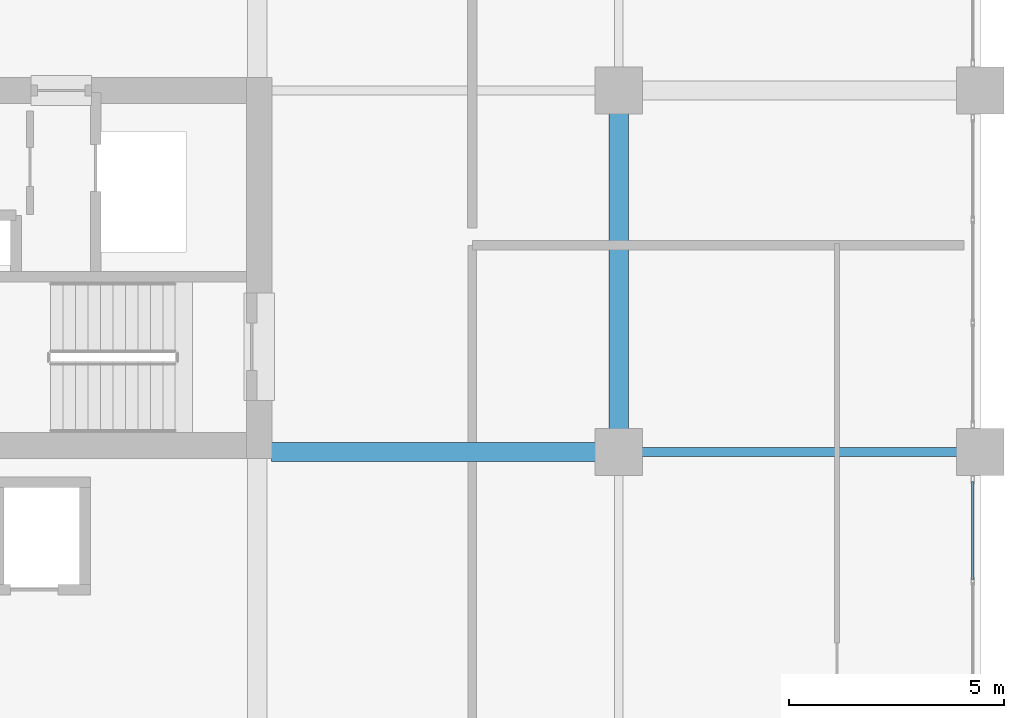
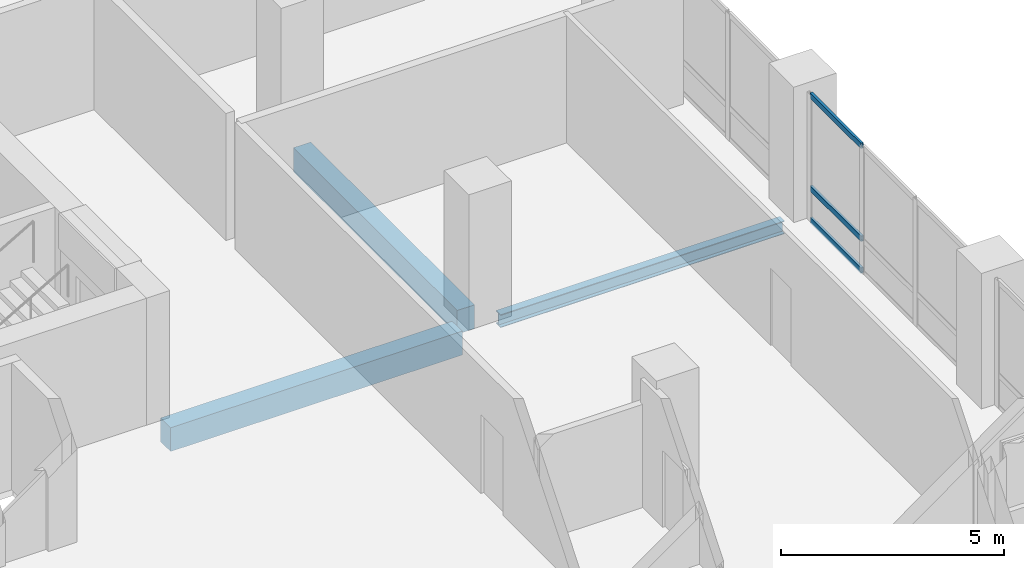
# One storey, part 5 of 21: 3 beams, 3 members, 1 element without a shape of its own.
"""IFC4 building model written with IfcOpenShell, lengths in metres."""

from ifc_helpers import new_model, si_unit, direction, frame, origin, origin_2d, place, context, subcontext, project, spatial, rectangle, hollow_rectangle, i_section, extrude, material, layer, layer_set, material_profile, profile_set, type_object, element, aggregate, save


model = new_model("IFC4")

# Units and contexts
model_context = context("Model", 3, precision=1e-05, world=origin(), true_north=direction((0.0, 1.0)))
body_context = subcontext(model_context, "Body", "Model", "MODEL_VIEW")
ifc_project = project(units=[si_unit("LENGTHUNIT", "METRE"), si_unit("AREAUNIT", "SQUARE_METRE"), si_unit("VOLUMEUNIT", "CUBIC_METRE"), si_unit("PLANEANGLEUNIT", "RADIAN"), si_unit("MASSUNIT", "GRAM", prefix="KILO")], contexts=[model_context])

# Site, building, storey
site_placement = place(None, origin())
site = spatial("IfcSite", under=ifc_project, at=site_placement, CompositionType="ELEMENT")
building_placement = place(site_placement, origin())
building = spatial("IfcBuilding", under=site, at=building_placement, Name="Koriwani Terraces Tower", CompositionType="ELEMENT")
storey_placement = place(building_placement, frame((0.0, 0.0, 197.60009765625)))
storey = spatial("IfcBuildingStorey", under=building, at=storey_placement, Name="L48", CompositionType="ELEMENT", Elevation=197.60009765625)

# Beams
ifc_material_1 = material(Name="Concrete C50/60", Category="concrete")
ifc_material_profile_1 = material_profile(ifc_material_1, rectangle(XDim=0.449951171875, YDim=0.64990234375, at=origin_2d()), Name="Concrete C50/60", Category="LoadBearing")
ifc_profile_set_1 = profile_set([ifc_material_profile_1], Name="Concrete C50/60")
beam_type_1 = type_object("IfcBeamType", Name="BEAM_RC_GRID_450X650", PredefinedType="BEAM", material=ifc_profile_set_1)
beam_1_placement = place(storey_placement, frame((59.1298828125, 16.800048828125, -0.55517578125), z_axis=(1.0, 0.0, 0.0), x_axis=(0.0, 1.0, 0.0)))
element("IfcBeam", 1, at=beam_1_placement, inside=storey, type_object=beam_type_1, Name="L48 Grid Beam C (58.8-67.2m)", PredefinedType="BEAM", context=body_context, shape_type="SweptSolid", body=[
    extrude(rectangle(XDim=0.449951171875, YDim=0.64990234375, at=origin_2d()), origin(), (0.0, 0.0, 1.0), 7.5400390625),
])
beam_2_placement = place(storey_placement, frame((67.199951171875, 17.330078125, -0.55517578125), z_axis=(0.0, 1.0, 0.0), x_axis=(-1.0, 0.0, 0.0)))
element("IfcBeam", 2, at=beam_2_placement, inside=storey, type_object=beam_type_1, Name="L48 Grid Beam 9 (16.8-25.2m)", PredefinedType="BEAM", context=body_context, shape_type="SweptSolid", body=[
    extrude(rectangle(XDim=0.449951171875, YDim=0.64990234375, at=origin_2d()), origin(), (0.0, 0.0, 1.0), 7.33984375),
])

# Curtain wall, members
ifc_material_2 = material(Name="Anodised Bronze Aluminium", Category="aluminium")
ifc_layer = layer(ifc_material_2, 0.169921875, Name="Anodised Bronze Aluminium")
ifc_layer_set = layer_set([ifc_layer], Name="Anodised Bronze Aluminium")
curtain_wall_type = type_object("IfcCurtainWallType", Name="CW_RES_ZONE3", PredefinedType="NOTDEFINED", material=ifc_layer_set)
curtain_wall_placement = place(storey_placement, origin())
curtain_wall = element("IfcCurtainWall", 3, at=curtain_wall_placement, inside=storey, type_object=curtain_wall_type, Name="L48 Unitised Curtain Wall (E_TIP) Bay 3", PredefinedType="NOTDEFINED")
ifc_material_profile_2 = material_profile(ifc_material_2, hollow_rectangle(XDim=0.06494140625, YDim=0.14990234375, WallThickness=0.0048828125, at=origin_2d()), Name="Anodised Bronze Aluminium", Category="LoadBearing")
ifc_profile_set_2 = profile_set([ifc_material_profile_2], Name="Anodised Bronze Aluminium")
member_type = type_object("IfcMemberType", Name="CW_TRANSOM_150X65", PredefinedType="USERDEFINED", material=ifc_profile_set_2)
member_1_placement = place(storey_placement, frame((75.425048828125, 16.114990234375, 0.032470703125), z_axis=(0.0, -1.0, 0.0), x_axis=(1.0, 0.0, 0.0)))
member_1 = element("IfcMember", 4, at=member_1_placement, type_object=member_type, Name="CW-Z3 transom 1.1", ObjectType="TRANSOM", PredefinedType="USERDEFINED", context=body_context, shape_type="SweptSolid", body=[
    extrude(hollow_rectangle(XDim=0.06494140625, YDim=0.14990234375, WallThickness=0.0048828125, at=origin_2d()), origin(), (0.0, 0.0, 1.0), 2.28076171875),
])
member_2_placement = place(storey_placement, frame((75.425048828125, 16.114990234375, 0.89990234375), z_axis=(0.0, -1.0, 0.0), x_axis=(1.0, 0.0, 0.0)))
member_2 = element("IfcMember", 5, at=member_2_placement, type_object=member_type, Name="CW-Z3 transom 1.2", ObjectType="TRANSOM", PredefinedType="USERDEFINED", context=body_context, shape_type="SweptSolid", body=[
    extrude(hollow_rectangle(XDim=0.06494140625, YDim=0.14990234375, WallThickness=0.0048828125, at=origin_2d()), origin(), (0.0, 0.0, 1.0), 2.28076171875),
])
member_3_placement = place(storey_placement, frame((75.425048828125, 16.114990234375, 3.4375), z_axis=(0.0, -1.0, 0.0), x_axis=(1.0, 0.0, 0.0)))
member_3 = element("IfcMember", 6, at=member_3_placement, type_object=member_type, Name="CW-Z3 transom 1.3", ObjectType="TRANSOM", PredefinedType="USERDEFINED", context=body_context, shape_type="SweptSolid", body=[
    extrude(hollow_rectangle(XDim=0.06494140625, YDim=0.14990234375, WallThickness=0.0048828125, at=origin_2d()), origin(), (0.0, 0.0, 1.0), 2.28076171875),
])
aggregate(curtain_wall, [member_1, member_2, member_3])

# Beam
ifc_material_3 = material(Name="Steel ASTM A572 Grade 50", Category="steel")
ifc_material_profile_3 = material_profile(ifc_material_3, i_section(OverallWidth=0.205078125, OverallDepth=0.35400390625, WebThickness=0.009521484375, FlangeThickness=0.016845703125, at=origin_2d()), Name="Steel ASTM A572 Grade 50", Category="LoadBearing")
ifc_profile_set_3 = profile_set([ifc_material_profile_3], Name="Steel ASTM A572 Grade 50")
beam_type_2 = type_object("IfcBeamType", Name="STEEL_BEAM_W360X79", PredefinedType="JOIST", material=ifc_profile_set_3)
beam_3_placement = place(storey_placement, frame((67.72998046875, 16.800048828125, -0.406982421875), z_axis=(1.0, 0.0, 0.0), x_axis=(0.0, 1.0, 0.0)))
element("IfcBeam", 7, at=beam_3_placement, inside=storey, type_object=beam_type_2, Name="L48 Grid Beam C (67.2-75.6m)", PredefinedType="JOIST", context=body_context, shape_type="SweptSolid", body=[
    extrude(i_section(OverallWidth=0.205078125, OverallDepth=0.35400390625, WebThickness=0.009521484375, FlangeThickness=0.016845703125, at=origin_2d()), origin(), (0.0, 0.0, 1.0), 7.340087890625),
])

save(model, "model.ifc")
